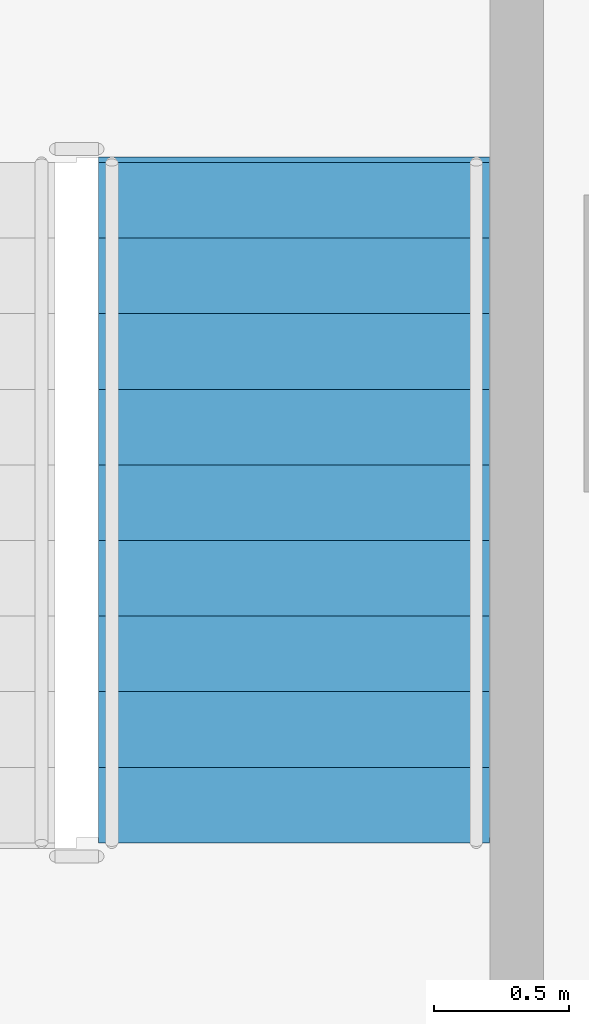
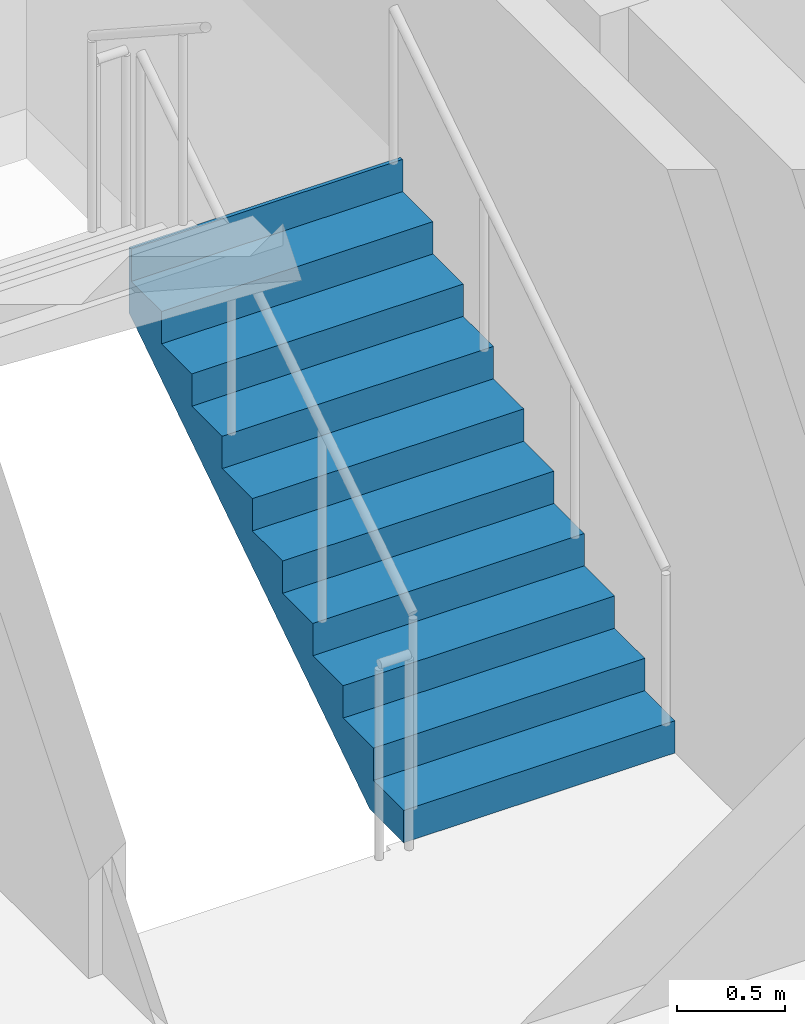
# One storey, part 10 of 14: 1 stair flight, 1 element without a shape of its own.
"""IFC4 building model written with IfcOpenShell, lengths in metres."""

from ifc_helpers import new_model, si_unit, direction, frame, origin, place, context, subcontext, project, spatial, polyline, outline, extrude, material, type_object, element, aggregate, save


model = new_model("IFC4")

# Units and contexts
model_context = context("Model", 3, precision=1e-05, world=origin(), true_north=direction((0.0, 1.0)))
body_context = subcontext(model_context, "Body", "Model", "MODEL_VIEW")
ifc_project = project(units=[si_unit("LENGTHUNIT", "METRE"), si_unit("AREAUNIT", "SQUARE_METRE"), si_unit("VOLUMEUNIT", "CUBIC_METRE"), si_unit("PLANEANGLEUNIT", "RADIAN"), si_unit("MASSUNIT", "GRAM", prefix="KILO")], contexts=[model_context])

# Site, building, storey
site_placement = place(None, origin())
site = spatial("IfcSite", under=ifc_project, at=site_placement, CompositionType="ELEMENT")
building_placement = place(site_placement, origin())
building = spatial("IfcBuilding", under=site, at=building_placement, Name="Nuvemarco Arch Tower", CompositionType="ELEMENT")
storey_placement = place(building_placement, frame((0.0, 0.0, 112.89990234375)))
storey = spatial("IfcBuildingStorey", under=building, at=storey_placement, Name="L29", CompositionType="ELEMENT", Elevation=112.89990234375)

# Stair, stair flight
ifc_material = material(Name="Precast concrete C45/55", Category="concrete")
stair_type = type_object("IfcStairType", Name="ST-CORE-20R", PredefinedType="HALF_TURN_STAIR", material=ifc_material)
stair_placement = place(storey_placement, origin())
stair = element("IfcStair", 1, at=stair_placement, inside=storey, type_object=stair_type, Name="L29 Protected Exit Stair ST-2", PredefinedType="HALF_TURN_STAIR")
stair_flight_type = type_object("IfcStairFlightType", Name="SF-CORE-20R", PredefinedType="STRAIGHT", material=ifc_material)
stair_flight_placement = place(storey_placement, frame((15.875, 2.64990234375, 0.0), z_axis=(0.0, 0.0, 1.0), x_axis=(0.0, 1.0, 0.0)))
stair_flight = element("IfcStairFlight", 2, at=stair_flight_placement, type_object=stair_flight_type, Name="ST-20R flight 1", NumberOfRisers=10, NumberOfTreads=9, PredefinedType="STRAIGHT", RiserHeight=0.1825, TreadLength=0.28, context=body_context, shape_type="SweptSolid", body=[
    extrude(outline(polyline([(0.0, 0.0), (0.0, 0.1826171875), (0.280029296875, 0.1826171875), (0.280029296875, 0.364990234375), (0.56005859375, 0.364990234375), (0.56005859375, 0.547607421875), (0.840087890625, 0.547607421875), (0.840087890625, 0.72998046875), (1.1201171875, 0.72998046875), (1.1201171875, 0.91259765625), (1.39990234375, 0.91259765625), (1.39990234375, 1.094970703125), (1.679931640625, 1.094970703125), (1.679931640625, 1.277587890625), (1.9599609375, 1.277587890625), (1.9599609375, 1.4599609375), (2.239990234375, 1.4599609375), (2.239990234375, 1.642578125), (2.52001953125, 1.642578125), (2.52001953125, 1.824951171875), (2.5400390625, 1.824951171875), (2.5400390625, 1.45166015625), (0.312744140625, 0.0), (0.0, 0.0)])), frame((0.0, 0.72509765625, 0.0), z_axis=(0.0, -1.0, 0.0), x_axis=(1.0, 0.0, 0.0)), (0.0, 0.0, 1.0), 1.449951171875),
])
aggregate(stair, [stair_flight])

save(model, "model.ifc")
